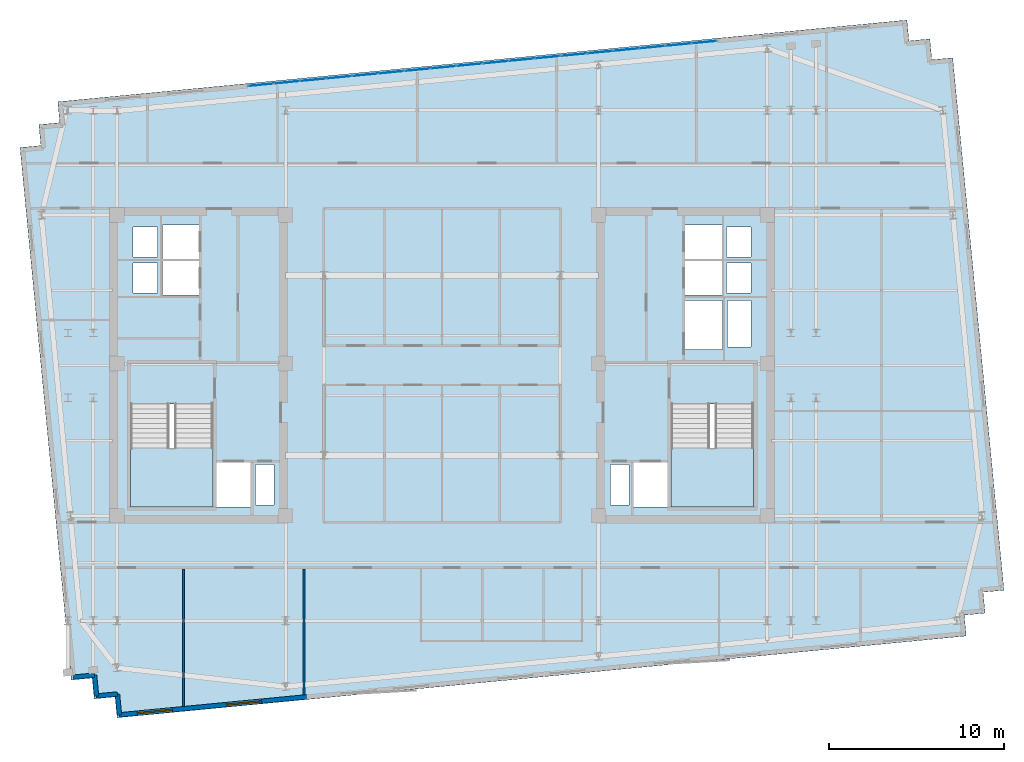
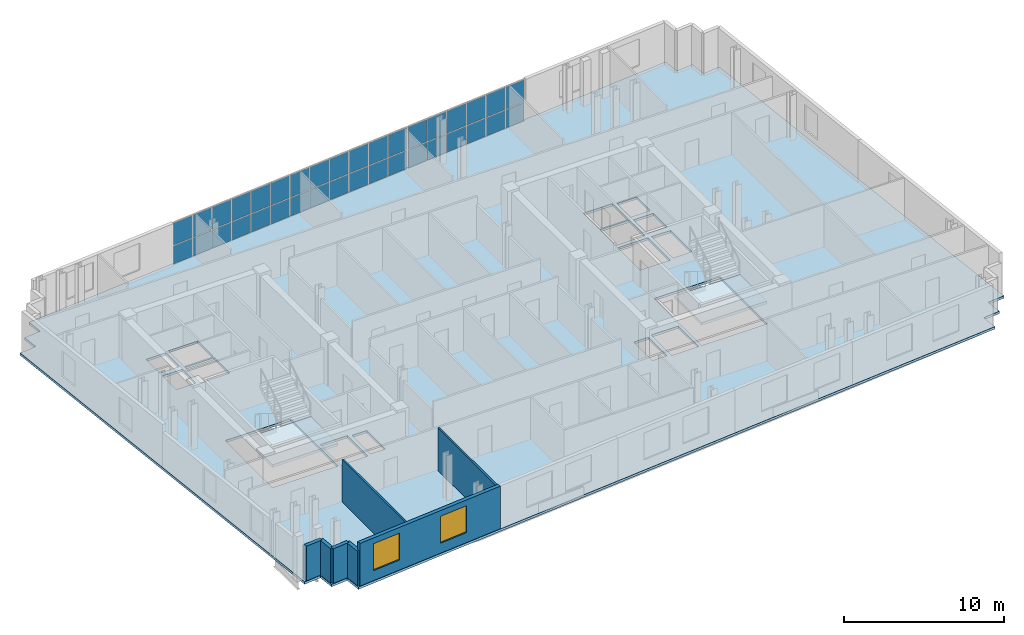
# One storey, part 5 of 11: 36 plates, 7 walls, 3 slabs, 2 windows, 2 openings, 5 elements without a shape of their own.
"""IFC4 building model written with IfcOpenShell, lengths in metres."""

import ifcopenshell
import ifcopenshell.guid

model = None  # the IFC model being written
_history = None  # IfcOwnerHistory: only IFC2X3 demands one
_inside = {}  # id of a spatial element -> (the spatial element, [elements in it])
_under = {}  # id of a project, library or spatial element -> (it, [spatial elements below it])
_declared = {}  # id of a project -> (the project, [libraries it declares])
_typed = {}  # id of a type object -> (the type object, [elements of that type])
_made_of = {}  # id of a material, layer set ... -> (it, [elements and type objects made of it])


def new_model(schema):
    """Start an empty IFC model of exactly this schema.

    Asked for "IFC4X3", IfcOpenShell would pick the latest addendum, in which some entities
    have other attributes; the version numbers below select the first issue.
    IFC2X3 requires an IfcOwnerHistory on every rooted entity: one is made here for all.
    """
    global model, _history
    if schema == "IFC4X3":
        model = ifcopenshell.file(schema_version=(4, 3, 0, 0))
    else:
        model = ifcopenshell.file(schema=schema)
    _inside.clear()
    _under.clear()
    _declared.clear()
    _typed.clear()
    _made_of.clear()
    _history = None
    if model.schema == "IFC2X3":
        org = make("IfcOrganization", Name="unknown")
        user = make(
            "IfcPersonAndOrganization",
            ThePerson=make("IfcPerson", FamilyName="unknown"),
            TheOrganization=org,
        )
        app = make(
            "IfcApplication",
            ApplicationDeveloper=org,
            Version="unknown",
            ApplicationFullName="unknown",
            ApplicationIdentifier="unknown",
        )
        _history = make(
            "IfcOwnerHistory",
            OwningUser=user,
            OwningApplication=app,
            ChangeAction="ADDED",
            CreationDate=0,
        )
    return model


def make(cls, **values):
    """One entity of the class cls with the attributes given. An attribute that is None is left unset."""
    return model.create_entity(
        cls, **{name: value for name, value in values.items() if value is not None}
    )


def rooted(cls, **values):
    """An entity with a GlobalId (a new one), such as an element, a storey or a relation."""
    return make(cls, GlobalId=ifcopenshell.guid.new(), OwnerHistory=_history, **values)


def si_unit(unit_type, name, prefix=None):
    """IfcSIUnit, for example si_unit("LENGTHUNIT", "METRE", prefix="MILLI")."""
    return make("IfcSIUnit", UnitType=unit_type, Prefix=prefix, Name=name)


def assignment(units):
    """IfcUnitAssignment: the units of a project."""
    return None if units is None else make("IfcUnitAssignment", Units=units)


def point(xyz):
    """IfcCartesianPoint."""
    return None if xyz is None else make("IfcCartesianPoint", Coordinates=xyz)


def direction(xyz):
    """IfcDirection."""
    return None if xyz is None else make("IfcDirection", DirectionRatios=xyz)


def frame(location, z_axis=None, x_axis=None):
    """IfcAxis2Placement3D, a coordinate frame: its origin and axes. An axis left out is left unset."""
    return make(
        "IfcAxis2Placement3D",
        Location=point(location),
        Axis=direction(z_axis),
        RefDirection=direction(x_axis),
    )


def frame_2d(location, x_axis=None):
    """IfcAxis2Placement2D, a coordinate frame in the plane: its origin and x axis."""
    return make(
        "IfcAxis2Placement2D", Location=point(location), RefDirection=direction(x_axis)
    )


def origin():
    """The frame at (0, 0, 0) with its axes left unset."""
    return frame((0.0, 0.0, 0.0))


def origin_2d():
    """The frame at (0, 0) in the plane with its x axis left unset."""
    return frame_2d((0.0, 0.0))


def place(relative_to, where):
    """IfcLocalPlacement: puts the frame where relative to a parent placement (None: the world)."""
    return make(
        "IfcLocalPlacement", PlacementRelTo=relative_to, RelativePlacement=where
    )


def context(
    kind, dimensions, precision=None, world=None, true_north=None, identifier=None
):
    """IfcGeometricRepresentationContext, for example the 3D "Model" context."""
    return make(
        "IfcGeometricRepresentationContext",
        ContextIdentifier=identifier,
        ContextType=kind,
        CoordinateSpaceDimension=dimensions,
        Precision=precision,
        WorldCoordinateSystem=world,
        TrueNorth=true_north,
    )


def subcontext(parent, identifier, kind, view, scale=None):
    """IfcGeometricRepresentationSubContext, for example "Body" below "Model"."""
    return make(
        "IfcGeometricRepresentationSubContext",
        ContextIdentifier=identifier,
        ContextType=kind,
        ParentContext=parent,
        TargetScale=scale,
        TargetView=view,
    )


def project(units=None, contexts=None):
    """IfcProject with its units and contexts."""
    return rooted(
        "IfcProject",
        Name="project",
        RepresentationContexts=contexts,
        UnitsInContext=assignment(units),
    )


def spatial(cls, under=None, at=None, **own):
    """A site, building, storey or space (cls), placed at a placement, below another one or the project."""
    s = rooted(cls, ObjectPlacement=at, **own)
    if under is not None:
        _under.setdefault(under.id(), (under, []))[1].append(s)
    return s


def polyline(points):
    """IfcPolyline through the points."""
    return make("IfcPolyline", Points=[point(p) for p in points])


def profile(cls, at=None, kind="AREA", **sizes):
    """A parametric profile (cls). Its sizes go by their IFC names, for example OverallWidth=200.0."""
    return make(cls, ProfileType=kind, Position=at, **sizes)


def rectangle(**sizes):
    """IfcRectangleProfileDef."""
    return profile("IfcRectangleProfileDef", **sizes)


def outline(outer, holes=None, kind="AREA"):
    """IfcArbitraryClosedProfileDef: a profile drawn as a closed curve; with holes, ...WithVoids."""
    if holes is None:
        return make("IfcArbitraryClosedProfileDef", ProfileType=kind, OuterCurve=outer)
    return make(
        "IfcArbitraryProfileDefWithVoids",
        ProfileType=kind,
        OuterCurve=outer,
        InnerCurves=holes,
    )


def extrude(swept, where, along, depth):
    """IfcExtrudedAreaSolid: the profile swept, set in the frame where, extruded along a direction by depth."""
    return make(
        "IfcExtrudedAreaSolid",
        SweptArea=swept,
        Position=where,
        ExtrudedDirection=direction(along),
        Depth=depth,
    )


def shape(context_of_items, identifier, shape_type, items):
    """IfcShapeRepresentation: the items that make up one representation, for example the "Body"."""
    return make(
        "IfcShapeRepresentation",
        ContextOfItems=context_of_items,
        RepresentationIdentifier=identifier,
        RepresentationType=shape_type,
        Items=items,
    )


def material(Name=None, Category=None):
    """IfcMaterial."""
    return make("IfcMaterial", Name=Name, Category=Category)


def layer(
    of_material, thickness, ventilated=None, Name=None, Category=None, Priority=None
):
    """IfcMaterialLayer: one layer of a wall or slab, of a material (None: an air gap)."""
    return make(
        "IfcMaterialLayer",
        Material=of_material,
        LayerThickness=thickness,
        IsVentilated=ventilated,
        Name=Name,
        Category=Category,
        Priority=Priority,
    )


def layer_set(layers, Name=None):
    """IfcMaterialLayerSet."""
    return make("IfcMaterialLayerSet", MaterialLayers=layers, LayerSetName=Name)


def made_of(thing, what):
    """Note that an element or type object is made of a material, layer set ...; save() writes the relation."""
    if what is not None:
        _made_of.setdefault(what.id(), (what, []))[1].append(thing)
    return thing


def type_object(cls, material=None, **own):
    """A type object (cls), such as IfcWallType, which elements share."""
    return made_of(rooted(cls, **own), material)


def element(
    cls,
    number,
    at=None,
    inside=None,
    cuts=None,
    type_object=None,
    material=None,
    context=None,
    identifier="Body",
    shape_type=None,
    held_by="IfcProductDefinitionShape",
    body=None,
    shapes=None,
    **own,
):
    """One element of the class cls, such as IfcWall. Its Tag is "e" and its number.

    at: its placement. inside: the storey or other place that contains it. cuts: it is an
    opening in that element (IfcRelVoidsElement). A single representation is given by context,
    identifier, shape_type and body (its items); several are given by shapes. held_by: the class
    of the entity that holds the representations. save() writes the other relations.
    """
    e = rooted(cls, Tag="e%d" % number, ObjectPlacement=at, **own)
    if body is not None:
        shapes = [shape(context, identifier, shape_type, body)]
    if shapes is not None:
        e.Representation = make(held_by, Representations=shapes)
    if inside is not None:
        _inside.setdefault(inside.id(), (inside, []))[1].append(e)
    if cuts is not None:
        rooted(
            "IfcRelVoidsElement", RelatingBuildingElement=cuts, RelatedOpeningElement=e
        )
    if type_object is not None:
        _typed.setdefault(type_object.id(), (type_object, []))[1].append(e)
    return made_of(e, material)


def fill(opening, filler):
    """IfcRelFillsElement: the door or window that sits in an opening."""
    return rooted(
        "IfcRelFillsElement",
        RelatingOpeningElement=opening,
        RelatedBuildingElement=filler,
    )


def aggregate(whole, parts):
    """IfcRelAggregates: a whole, such as a stair, and the parts it consists of."""
    return rooted("IfcRelAggregates", RelatingObject=whole, RelatedObjects=parts)


def save(model, path):
    """Write the relations noted so far, then the file.

    IfcRelAggregates (storeys below a building ...), IfcRelContainedInSpatialStructure (elements
    in a storey), IfcRelDefinesByType, IfcRelAssociatesMaterial and IfcRelDeclares: one each for
    every whole, place, type object, material and project.
    """
    for whole, parts in _under.values():
        aggregate(whole, parts)
    for where, things in _inside.values():
        rooted(
            "IfcRelContainedInSpatialStructure",
            RelatedElements=things,
            RelatingStructure=where,
        )
    for kind, things in _typed.values():
        rooted("IfcRelDefinesByType", RelatedObjects=things, RelatingType=kind)
    for what, things in _made_of.values():
        rooted("IfcRelAssociatesMaterial", RelatedObjects=things, RelatingMaterial=what)
    for by, libraries in _declared.values():
        rooted("IfcRelDeclares", RelatingContext=by, RelatedDefinitions=libraries)
    model.write(path)


model = new_model("IFC4")

# Units and contexts
model_context = context("Model", 3, precision=1e-05, world=origin(), true_north=direction((0.0, 1.0)))
body_context = subcontext(model_context, "Body", "Model", "MODEL_VIEW")
ifc_project = project(units=[si_unit("LENGTHUNIT", "METRE"), si_unit("AREAUNIT", "SQUARE_METRE"), si_unit("VOLUMEUNIT", "CUBIC_METRE"), si_unit("PLANEANGLEUNIT", "RADIAN"), si_unit("MASSUNIT", "GRAM", prefix="KILO")], contexts=[model_context])

# Site, building, storey
site_placement = place(None, origin())
site = spatial("IfcSite", under=ifc_project, at=site_placement, CompositionType="ELEMENT")
building_placement = place(site_placement, origin())
building = spatial("IfcBuilding", under=site, at=building_placement, Name="Velakula Bourse", CompositionType="ELEMENT")
storey_placement = place(building_placement, frame((0.0, 0.0, 279.300048828125)))
storey = spatial("IfcBuildingStorey", under=building, at=storey_placement, Name="L76", CompositionType="ELEMENT", Elevation=279.300048828125)

# Curtain wall, plates
ifc_material_1 = material(Name="Anodised bronze architectural aluminium", Category="aluminium")
ifc_layer_1 = layer(ifc_material_1, 0.1298828125, Name="Anodised bronze architectural aluminium", Category="aluminium")
ifc_layer_set_1 = layer_set([ifc_layer_1], Name="Anodised bronze architectural aluminium")
curtain_wall_type = type_object("IfcCurtainWallType", Name="CW-OB1", PredefinedType="NOTDEFINED", material=ifc_layer_set_1)
curtain_wall_1_placement = place(storey_placement, origin())
curtain_wall_1 = element("IfcCurtainWall", 1, at=curtain_wall_1_placement, inside=storey, type_object=curtain_wall_type, Name="L76 Public Observation Panoramic Curtain Wall B2", PredefinedType="NOTDEFINED")
ifc_material_2 = material(Name="Double-glazed solar-control Low-E glass", Category="glass")
ifc_layer_2 = layer(ifc_material_2, 0.02001953125, Name="Double-glazed solar-control Low-E glass", Category="glass")
ifc_layer_set_2 = layer_set([ifc_layer_2], Name="Double-glazed solar-control Low-E glass")
plate_type = type_object("IfcPlateType", Name="PNL-CW-OB1", PredefinedType="CURTAIN_PANEL", material=ifc_layer_set_2)
plate_1_placement = place(storey_placement, frame((-10.3583984375, 16.048583984375, 0.059814453125), z_axis=(0.0, 0.0, 1.0), x_axis=(0.995396256016, 0.095845153814, 0.0)))
plate_1 = element("IfcPlate", 2, at=plate_1_placement, type_object=plate_type, Name="CW-OB1 panel 1.1", PredefinedType="CURTAIN_PANEL", context=body_context, shape_type="SweptSolid", body=[
    extrude(rectangle(XDim=1.409912109375, YDim=0.028076171875, at=origin_2d()), origin(), (0.0, 0.0, 1.0), 1.37255859375),
])
plate_2_placement = place(storey_placement, frame((-10.3583984375, 16.048583984375, 1.49267578125), z_axis=(0.0, 0.0, 1.0), x_axis=(0.995396256016, 0.095845153814, 0.0)))
plate_2 = element("IfcPlate", 3, at=plate_2_placement, type_object=plate_type, Name="CW-OB1 panel 1.2", PredefinedType="CURTAIN_PANEL", context=body_context, shape_type="SweptSolid", body=[
    extrude(rectangle(XDim=1.409912109375, YDim=0.028076171875, at=origin_2d()), origin(), (0.0, 0.0, 1.0), 1.697509765625),
])
plate_3_placement = place(storey_placement, frame((-8.88037109375, 16.19091796875, 0.059814453125), z_axis=(0.0, 0.0, 1.0), x_axis=(0.995396256016, 0.095845153814, 0.0)))
plate_3 = element("IfcPlate", 4, at=plate_3_placement, type_object=plate_type, Name="CW-OB1 panel 2.1", PredefinedType="CURTAIN_PANEL", context=body_context, shape_type="SweptSolid", body=[
    extrude(rectangle(XDim=1.43994140625, YDim=0.028076171875, at=origin_2d()), origin(), (0.0, 0.0, 1.0), 1.37255859375),
])
plate_4_placement = place(storey_placement, frame((-8.88037109375, 16.19091796875, 1.49267578125), z_axis=(0.0, 0.0, 1.0), x_axis=(0.995396256016, 0.095845153814, 0.0)))
plate_4 = element("IfcPlate", 5, at=plate_4_placement, type_object=plate_type, Name="CW-OB1 panel 2.2", PredefinedType="CURTAIN_PANEL", context=body_context, shape_type="SweptSolid", body=[
    extrude(rectangle(XDim=1.43994140625, YDim=0.028076171875, at=origin_2d()), origin(), (0.0, 0.0, 1.0), 1.697509765625),
])
plate_5_placement = place(storey_placement, frame((-7.38720703125, 16.334716796875, 0.059814453125), z_axis=(0.0, 0.0, 1.0), x_axis=(0.995396256016, 0.095845153814, 0.0)))
plate_5 = element("IfcPlate", 6, at=plate_5_placement, type_object=plate_type, Name="CW-OB1 panel 3.1", PredefinedType="CURTAIN_PANEL", context=body_context, shape_type="SweptSolid", body=[
    extrude(rectangle(XDim=1.43994140625, YDim=0.028076171875, at=origin_2d()), origin(), (0.0, 0.0, 1.0), 1.37255859375),
])
plate_6_placement = place(storey_placement, frame((-7.38720703125, 16.334716796875, 1.49267578125), z_axis=(0.0, 0.0, 1.0), x_axis=(0.995396256016, 0.095845153814, 0.0)))
plate_6 = element("IfcPlate", 7, at=plate_6_placement, type_object=plate_type, Name="CW-OB1 panel 3.2", PredefinedType="CURTAIN_PANEL", context=body_context, shape_type="SweptSolid", body=[
    extrude(rectangle(XDim=1.43994140625, YDim=0.028076171875, at=origin_2d()), origin(), (0.0, 0.0, 1.0), 1.697509765625),
])
plate_7_placement = place(storey_placement, frame((-5.89404296875, 16.478515625, 0.059814453125), z_axis=(0.0, 0.0, 1.0), x_axis=(0.995396256016, 0.095845153814, 0.0)))
plate_7 = element("IfcPlate", 8, at=plate_7_placement, type_object=plate_type, Name="CW-OB1 panel 4.1", PredefinedType="CURTAIN_PANEL", context=body_context, shape_type="SweptSolid", body=[
    extrude(rectangle(XDim=1.43994140625, YDim=0.028076171875, at=origin_2d()), origin(), (0.0, 0.0, 1.0), 1.37255859375),
])
plate_8_placement = place(storey_placement, frame((-5.89404296875, 16.478515625, 1.49267578125), z_axis=(0.0, 0.0, 1.0), x_axis=(0.995396256016, 0.095845153814, 0.0)))
plate_8 = element("IfcPlate", 9, at=plate_8_placement, type_object=plate_type, Name="CW-OB1 panel 4.2", PredefinedType="CURTAIN_PANEL", context=body_context, shape_type="SweptSolid", body=[
    extrude(rectangle(XDim=1.43994140625, YDim=0.028076171875, at=origin_2d()), origin(), (0.0, 0.0, 1.0), 1.697509765625),
])
plate_9_placement = place(storey_placement, frame((-4.401123046875, 16.622314453125, 0.059814453125), z_axis=(0.0, 0.0, 1.0), x_axis=(0.995396256016, 0.095845153814, 0.0)))
plate_9 = element("IfcPlate", 10, at=plate_9_placement, type_object=plate_type, Name="CW-OB1 panel 5.1", PredefinedType="CURTAIN_PANEL", context=body_context, shape_type="SweptSolid", body=[
    extrude(rectangle(XDim=1.43994140625, YDim=0.028076171875, at=origin_2d()), origin(), (0.0, 0.0, 1.0), 1.37255859375),
])
plate_10_placement = place(storey_placement, frame((-4.401123046875, 16.622314453125, 1.49267578125), z_axis=(0.0, 0.0, 1.0), x_axis=(0.995396256016, 0.095845153814, 0.0)))
plate_10 = element("IfcPlate", 11, at=plate_10_placement, type_object=plate_type, Name="CW-OB1 panel 5.2", PredefinedType="CURTAIN_PANEL", context=body_context, shape_type="SweptSolid", body=[
    extrude(rectangle(XDim=1.43994140625, YDim=0.028076171875, at=origin_2d()), origin(), (0.0, 0.0, 1.0), 1.697509765625),
])
plate_11_placement = place(storey_placement, frame((-2.9228515625, 16.7646484375, 0.059814453125), z_axis=(0.0, 0.0, 1.0), x_axis=(0.995396256016, 0.095845153814, 0.0)))
plate_11 = element("IfcPlate", 12, at=plate_11_placement, type_object=plate_type, Name="CW-OB1 panel 6.1", PredefinedType="CURTAIN_PANEL", context=body_context, shape_type="SweptSolid", body=[
    extrude(rectangle(XDim=1.409912109375, YDim=0.028076171875, at=origin_2d()), origin(), (0.0, 0.0, 1.0), 1.37255859375),
])
plate_12_placement = place(storey_placement, frame((-2.9228515625, 16.7646484375, 1.49267578125), z_axis=(0.0, 0.0, 1.0), x_axis=(0.995396256016, 0.095845153814, 0.0)))
plate_12 = element("IfcPlate", 13, at=plate_12_placement, type_object=plate_type, Name="CW-OB1 panel 6.2", PredefinedType="CURTAIN_PANEL", context=body_context, shape_type="SweptSolid", body=[
    extrude(rectangle(XDim=1.409912109375, YDim=0.028076171875, at=origin_2d()), origin(), (0.0, 0.0, 1.0), 1.697509765625),
])
aggregate(curtain_wall_1, [plate_1, plate_2, plate_3, plate_4, plate_5, plate_6, plate_7, plate_8, plate_9, plate_10, plate_11, plate_12])

curtain_wall_2_placement = place(storey_placement, origin())
curtain_wall_2 = element("IfcCurtainWall", 14, at=curtain_wall_2_placement, inside=storey, type_object=curtain_wall_type, Name="L76 Public Observation Panoramic Curtain Wall B3", PredefinedType="NOTDEFINED")
plate_13_placement = place(storey_placement, frame((-1.39990234375, 16.9111328125, 0.059814453125), z_axis=(0.0, 0.0, 1.0), x_axis=(0.995396358085, 0.095844093769, 0.0)))
plate_13 = element("IfcPlate", 15, at=plate_13_placement, type_object=plate_type, Name="CW-OB1 panel 1.1", PredefinedType="CURTAIN_PANEL", context=body_context, shape_type="SweptSolid", body=[
    extrude(rectangle(XDim=1.409912109375, YDim=0.028076171875, at=origin_2d()), origin(), (0.0, 0.0, 1.0), 1.37255859375),
])
plate_14_placement = place(storey_placement, frame((-1.39990234375, 16.9111328125, 1.49267578125), z_axis=(0.0, 0.0, 1.0), x_axis=(0.995396358085, 0.095844093769, 0.0)))
plate_14 = element("IfcPlate", 16, at=plate_14_placement, type_object=plate_type, Name="CW-OB1 panel 1.2", PredefinedType="CURTAIN_PANEL", context=body_context, shape_type="SweptSolid", body=[
    extrude(rectangle(XDim=1.409912109375, YDim=0.028076171875, at=origin_2d()), origin(), (0.0, 0.0, 1.0), 1.697509765625),
])
plate_15_placement = place(storey_placement, frame((0.078369140625, 17.053466796875, 0.059814453125), z_axis=(0.0, 0.0, 1.0), x_axis=(0.995396358085, 0.095844093769, 0.0)))
plate_15 = element("IfcPlate", 17, at=plate_15_placement, type_object=plate_type, Name="CW-OB1 panel 2.1", PredefinedType="CURTAIN_PANEL", context=body_context, shape_type="SweptSolid", body=[
    extrude(rectangle(XDim=1.43994140625, YDim=0.028076171875, at=origin_2d()), origin(), (0.0, 0.0, 1.0), 1.37255859375),
])
plate_16_placement = place(storey_placement, frame((0.078369140625, 17.053466796875, 1.49267578125), z_axis=(0.0, 0.0, 1.0), x_axis=(0.995396358085, 0.095844093769, 0.0)))
plate_16 = element("IfcPlate", 18, at=plate_16_placement, type_object=plate_type, Name="CW-OB1 panel 2.2", PredefinedType="CURTAIN_PANEL", context=body_context, shape_type="SweptSolid", body=[
    extrude(rectangle(XDim=1.43994140625, YDim=0.028076171875, at=origin_2d()), origin(), (0.0, 0.0, 1.0), 1.697509765625),
])
plate_17_placement = place(storey_placement, frame((1.5712890625, 17.197265625, 0.059814453125), z_axis=(0.0, 0.0, 1.0), x_axis=(0.995396358085, 0.095844093769, 0.0)))
plate_17 = element("IfcPlate", 19, at=plate_17_placement, type_object=plate_type, Name="CW-OB1 panel 3.1", PredefinedType="CURTAIN_PANEL", context=body_context, shape_type="SweptSolid", body=[
    extrude(rectangle(XDim=1.43994140625, YDim=0.028076171875, at=origin_2d()), origin(), (0.0, 0.0, 1.0), 1.37255859375),
])
plate_18_placement = place(storey_placement, frame((1.5712890625, 17.197265625, 1.49267578125), z_axis=(0.0, 0.0, 1.0), x_axis=(0.995396358085, 0.095844093769, 0.0)))
plate_18 = element("IfcPlate", 20, at=plate_18_placement, type_object=plate_type, Name="CW-OB1 panel 3.2", PredefinedType="CURTAIN_PANEL", context=body_context, shape_type="SweptSolid", body=[
    extrude(rectangle(XDim=1.43994140625, YDim=0.028076171875, at=origin_2d()), origin(), (0.0, 0.0, 1.0), 1.697509765625),
])
plate_19_placement = place(storey_placement, frame((3.064453125, 17.341064453125, 0.059814453125), z_axis=(0.0, 0.0, 1.0), x_axis=(0.995396358085, 0.095844093769, 0.0)))
plate_19 = element("IfcPlate", 21, at=plate_19_placement, type_object=plate_type, Name="CW-OB1 panel 4.1", PredefinedType="CURTAIN_PANEL", context=body_context, shape_type="SweptSolid", body=[
    extrude(rectangle(XDim=1.43994140625, YDim=0.028076171875, at=origin_2d()), origin(), (0.0, 0.0, 1.0), 1.37255859375),
])
plate_20_placement = place(storey_placement, frame((3.064453125, 17.341064453125, 1.49267578125), z_axis=(0.0, 0.0, 1.0), x_axis=(0.995396358085, 0.095844093769, 0.0)))
plate_20 = element("IfcPlate", 22, at=plate_20_placement, type_object=plate_type, Name="CW-OB1 panel 4.2", PredefinedType="CURTAIN_PANEL", context=body_context, shape_type="SweptSolid", body=[
    extrude(rectangle(XDim=1.43994140625, YDim=0.028076171875, at=origin_2d()), origin(), (0.0, 0.0, 1.0), 1.697509765625),
])
plate_21_placement = place(storey_placement, frame((4.5576171875, 17.48486328125, 0.059814453125), z_axis=(0.0, 0.0, 1.0), x_axis=(0.995396358085, 0.095844093769, 0.0)))
plate_21 = element("IfcPlate", 23, at=plate_21_placement, type_object=plate_type, Name="CW-OB1 panel 5.1", PredefinedType="CURTAIN_PANEL", context=body_context, shape_type="SweptSolid", body=[
    extrude(rectangle(XDim=1.43994140625, YDim=0.028076171875, at=origin_2d()), origin(), (0.0, 0.0, 1.0), 1.37255859375),
])
plate_22_placement = place(storey_placement, frame((4.5576171875, 17.48486328125, 1.49267578125), z_axis=(0.0, 0.0, 1.0), x_axis=(0.995396358085, 0.095844093769, 0.0)))
plate_22 = element("IfcPlate", 24, at=plate_22_placement, type_object=plate_type, Name="CW-OB1 panel 5.2", PredefinedType="CURTAIN_PANEL", context=body_context, shape_type="SweptSolid", body=[
    extrude(rectangle(XDim=1.43994140625, YDim=0.028076171875, at=origin_2d()), origin(), (0.0, 0.0, 1.0), 1.697509765625),
])
plate_23_placement = place(storey_placement, frame((6.03564453125, 17.627197265625, 0.059814453125), z_axis=(0.0, 0.0, 1.0), x_axis=(0.995396358085, 0.095844093769, 0.0)))
plate_23 = element("IfcPlate", 25, at=plate_23_placement, type_object=plate_type, Name="CW-OB1 panel 6.1", PredefinedType="CURTAIN_PANEL", context=body_context, shape_type="SweptSolid", body=[
    extrude(rectangle(XDim=1.409912109375, YDim=0.028076171875, at=origin_2d()), origin(), (0.0, 0.0, 1.0), 1.37255859375),
])
plate_24_placement = place(storey_placement, frame((6.03564453125, 17.627197265625, 1.49267578125), z_axis=(0.0, 0.0, 1.0), x_axis=(0.995396358085, 0.095844093769, 0.0)))
plate_24 = element("IfcPlate", 26, at=plate_24_placement, type_object=plate_type, Name="CW-OB1 panel 6.2", PredefinedType="CURTAIN_PANEL", context=body_context, shape_type="SweptSolid", body=[
    extrude(rectangle(XDim=1.409912109375, YDim=0.028076171875, at=origin_2d()), origin(), (0.0, 0.0, 1.0), 1.697509765625),
])
aggregate(curtain_wall_2, [plate_13, plate_14, plate_15, plate_16, plate_17, plate_18, plate_19, plate_20, plate_21, plate_22, plate_23, plate_24])

curtain_wall_3_placement = place(storey_placement, origin())
curtain_wall_3 = element("IfcCurtainWall", 27, at=curtain_wall_3_placement, inside=storey, type_object=curtain_wall_type, Name="L76 Public Observation Panoramic Curtain Wall B4", PredefinedType="NOTDEFINED")
plate_25_placement = place(storey_placement, frame((7.55859375, 17.77392578125, 0.059814453125), z_axis=(0.0, 0.0, 1.0), x_axis=(0.995396358085, 0.095844093769, 0.0)))
plate_25 = element("IfcPlate", 28, at=plate_25_placement, type_object=plate_type, Name="CW-OB1 panel 1.1", PredefinedType="CURTAIN_PANEL", context=body_context, shape_type="SweptSolid", body=[
    extrude(rectangle(XDim=1.409912109375, YDim=0.028076171875, at=origin_2d()), origin(), (0.0, 0.0, 1.0), 1.37255859375),
])
plate_26_placement = place(storey_placement, frame((7.55859375, 17.77392578125, 1.49267578125), z_axis=(0.0, 0.0, 1.0), x_axis=(0.995396358085, 0.095844093769, 0.0)))
plate_26 = element("IfcPlate", 29, at=plate_26_placement, type_object=plate_type, Name="CW-OB1 panel 1.2", PredefinedType="CURTAIN_PANEL", context=body_context, shape_type="SweptSolid", body=[
    extrude(rectangle(XDim=1.409912109375, YDim=0.028076171875, at=origin_2d()), origin(), (0.0, 0.0, 1.0), 1.697509765625),
])
plate_27_placement = place(storey_placement, frame((9.036865234375, 17.916259765625, 0.059814453125), z_axis=(0.0, 0.0, 1.0), x_axis=(0.995396358085, 0.095844093769, 0.0)))
plate_27 = element("IfcPlate", 30, at=plate_27_placement, type_object=plate_type, Name="CW-OB1 panel 2.1", PredefinedType="CURTAIN_PANEL", context=body_context, shape_type="SweptSolid", body=[
    extrude(rectangle(XDim=1.43994140625, YDim=0.028076171875, at=origin_2d()), origin(), (0.0, 0.0, 1.0), 1.37255859375),
])
plate_28_placement = place(storey_placement, frame((9.036865234375, 17.916259765625, 1.49267578125), z_axis=(0.0, 0.0, 1.0), x_axis=(0.995396358085, 0.095844093769, 0.0)))
plate_28 = element("IfcPlate", 31, at=plate_28_placement, type_object=plate_type, Name="CW-OB1 panel 2.2", PredefinedType="CURTAIN_PANEL", context=body_context, shape_type="SweptSolid", body=[
    extrude(rectangle(XDim=1.43994140625, YDim=0.028076171875, at=origin_2d()), origin(), (0.0, 0.0, 1.0), 1.697509765625),
])
plate_29_placement = place(storey_placement, frame((10.530029296875, 18.059814453125, 0.059814453125), z_axis=(0.0, 0.0, 1.0), x_axis=(0.995396358085, 0.095844093769, 0.0)))
plate_29 = element("IfcPlate", 32, at=plate_29_placement, type_object=plate_type, Name="CW-OB1 panel 3.1", PredefinedType="CURTAIN_PANEL", context=body_context, shape_type="SweptSolid", body=[
    extrude(rectangle(XDim=1.43994140625, YDim=0.028076171875, at=origin_2d()), origin(), (0.0, 0.0, 1.0), 1.37255859375),
])
plate_30_placement = place(storey_placement, frame((10.530029296875, 18.059814453125, 1.49267578125), z_axis=(0.0, 0.0, 1.0), x_axis=(0.995396358085, 0.095844093769, 0.0)))
plate_30 = element("IfcPlate", 33, at=plate_30_placement, type_object=plate_type, Name="CW-OB1 panel 3.2", PredefinedType="CURTAIN_PANEL", context=body_context, shape_type="SweptSolid", body=[
    extrude(rectangle(XDim=1.43994140625, YDim=0.028076171875, at=origin_2d()), origin(), (0.0, 0.0, 1.0), 1.697509765625),
])
plate_31_placement = place(storey_placement, frame((12.02294921875, 18.20361328125, 0.059814453125), z_axis=(0.0, 0.0, 1.0), x_axis=(0.995396358085, 0.095844093769, 0.0)))
plate_31 = element("IfcPlate", 34, at=plate_31_placement, type_object=plate_type, Name="CW-OB1 panel 4.1", PredefinedType="CURTAIN_PANEL", context=body_context, shape_type="SweptSolid", body=[
    extrude(rectangle(XDim=1.43994140625, YDim=0.028076171875, at=origin_2d()), origin(), (0.0, 0.0, 1.0), 1.37255859375),
])
plate_32_placement = place(storey_placement, frame((12.02294921875, 18.20361328125, 1.49267578125), z_axis=(0.0, 0.0, 1.0), x_axis=(0.995396358085, 0.095844093769, 0.0)))
plate_32 = element("IfcPlate", 35, at=plate_32_placement, type_object=plate_type, Name="CW-OB1 panel 4.2", PredefinedType="CURTAIN_PANEL", context=body_context, shape_type="SweptSolid", body=[
    extrude(rectangle(XDim=1.43994140625, YDim=0.028076171875, at=origin_2d()), origin(), (0.0, 0.0, 1.0), 1.697509765625),
])
plate_33_placement = place(storey_placement, frame((13.51611328125, 18.347412109375, 0.059814453125), z_axis=(0.0, 0.0, 1.0), x_axis=(0.995396358085, 0.095844093769, 0.0)))
plate_33 = element("IfcPlate", 36, at=plate_33_placement, type_object=plate_type, Name="CW-OB1 panel 5.1", PredefinedType="CURTAIN_PANEL", context=body_context, shape_type="SweptSolid", body=[
    extrude(rectangle(XDim=1.43994140625, YDim=0.028076171875, at=origin_2d()), origin(), (0.0, 0.0, 1.0), 1.37255859375),
])
plate_34_placement = place(storey_placement, frame((13.51611328125, 18.347412109375, 1.49267578125), z_axis=(0.0, 0.0, 1.0), x_axis=(0.995396358085, 0.095844093769, 0.0)))
plate_34 = element("IfcPlate", 37, at=plate_34_placement, type_object=plate_type, Name="CW-OB1 panel 5.2", PredefinedType="CURTAIN_PANEL", context=body_context, shape_type="SweptSolid", body=[
    extrude(rectangle(XDim=1.43994140625, YDim=0.028076171875, at=origin_2d()), origin(), (0.0, 0.0, 1.0), 1.697509765625),
])
plate_35_placement = place(storey_placement, frame((14.994384765625, 18.48974609375, 0.059814453125), z_axis=(0.0, 0.0, 1.0), x_axis=(0.995396358085, 0.095844093769, 0.0)))
plate_35 = element("IfcPlate", 38, at=plate_35_placement, type_object=plate_type, Name="CW-OB1 panel 6.1", PredefinedType="CURTAIN_PANEL", context=body_context, shape_type="SweptSolid", body=[
    extrude(rectangle(XDim=1.409912109375, YDim=0.028076171875, at=origin_2d()), origin(), (0.0, 0.0, 1.0), 1.37255859375),
])
plate_36_placement = place(storey_placement, frame((14.994384765625, 18.48974609375, 1.49267578125), z_axis=(0.0, 0.0, 1.0), x_axis=(0.995396358085, 0.095844093769, 0.0)))
plate_36 = element("IfcPlate", 39, at=plate_36_placement, type_object=plate_type, Name="CW-OB1 panel 6.2", PredefinedType="CURTAIN_PANEL", context=body_context, shape_type="SweptSolid", body=[
    extrude(rectangle(XDim=1.409912109375, YDim=0.028076171875, at=origin_2d()), origin(), (0.0, 0.0, 1.0), 1.697509765625),
])
aggregate(curtain_wall_3, [plate_25, plate_26, plate_27, plate_28, plate_29, plate_30, plate_31, plate_32, plate_33, plate_34, plate_35, plate_36])

# Stair, slab
ifc_material_3 = material(Name="Concrete M45 (fck 45 MPa)", Category="concrete")
stair_type = type_object("IfcStairType", Name="STR-DOG-390", PredefinedType="HALF_TURN_STAIR", material=ifc_material_3)
stair_1_placement = place(storey_placement, origin())
stair_1 = element("IfcStair", 40, at=stair_1_placement, inside=storey, type_object=stair_type, Name="L76 West Core Exit Stair ST-W1", PredefinedType="HALF_TURN_STAIR")
ifc_layer_3 = layer(ifc_material_3, 0.199951171875, Name="Concrete M45 (fck 45 MPa)", Category="concrete")
ifc_layer_set_3 = layer_set([ifc_layer_3], Name="Concrete M45 (fck 45 MPa)")
slab_type_1 = type_object("IfcSlabType", Name="SLB-STAIR-LND-200", PredefinedType="LANDING", material=ifc_layer_set_3)
slab_1_placement = place(storey_placement, frame((0.0, 0.0, 1.52490234375)))
slab_1 = element("IfcSlab", 41, at=slab_1_placement, type_object=slab_type_1, Name="ST-W1 landing 1", PredefinedType="LANDING", context=body_context, shape_type="SweptSolid", body=[
    extrude(outline(polyline([(-17.820068359375, -4.719970703125), (-17.820068359375, -8.10009765625), (-13.10009765625, -8.10009765625), (-13.10009765625, -4.719970703125), (-17.820068359375, -4.719970703125)])), origin(), (0.0, 0.0, 1.0), 0.199951171875),
])
aggregate(stair_1, [slab_1])

stair_2_placement = place(storey_placement, origin())
stair_2 = element("IfcStair", 42, at=stair_2_placement, inside=storey, type_object=stair_type, Name="L76 East Core Exit Stair ST-E1", PredefinedType="HALF_TURN_STAIR")
slab_2_placement = place(storey_placement, frame((0.0, 0.0, 1.52490234375)))
slab_2 = element("IfcSlab", 43, at=slab_2_placement, type_object=slab_type_1, Name="ST-E1 landing 1", PredefinedType="LANDING", context=body_context, shape_type="SweptSolid", body=[
    extrude(outline(polyline([(13.10009765625, -4.719970703125), (13.10009765625, -8.10009765625), (17.820068359375, -8.10009765625), (17.820068359375, -4.719970703125), (13.10009765625, -4.719970703125)])), origin(), (0.0, 0.0, 1.0), 0.199951171875),
])
aggregate(stair_2, [slab_2])

# Slab
ifc_material_4 = material(Name="Concrete M50 (fck 50 MPa)", Category="concrete")
ifc_layer_4 = layer(ifc_material_4, 0.179931640625, Name="Concrete M50 (fck 50 MPa)", Category="concrete")
ifc_layer_set_4 = layer_set([ifc_layer_4], Name="Concrete M50 (fck 50 MPa)")
slab_type_2 = type_object("IfcSlabType", Name="SLB-TWR-180", PredefinedType="FLOOR", material=ifc_layer_set_4)
slab_3_placement = place(storey_placement, frame((0.0, 0.0, -0.179931640625)))
element("IfcSlab", 44, at=slab_3_placement, inside=storey, type_object=slab_type_2, Name="L76 Suspended Structural Floor Slab", PredefinedType="FLOOR", context=body_context, shape_type="SweptSolid", body=[
    extrude(outline(polyline([(-18.59130859375, -20.1572265625), (29.984130859375, -15.47998046875), (29.869140625, -14.285400390625), (31.0634765625, -14.17041015625), (30.948486328125, -12.975830078125), (32.14306640625, -12.86083984375), (29.210205078125, 17.59814453125), (28.015625, 17.483154296875), (27.900634765625, 18.677734375), (26.706298828125, 18.562744140625), (26.59130859375, 19.757080078125), (-21.984130859375, 15.079833984375), (-21.869140625, 13.885498046875), (-23.0634765625, 13.7705078125), (-22.948486328125, 12.575927734375), (-24.14306640625, 12.4609375), (-21.210205078125, -17.998291015625), (-20.015625, -17.88330078125), (-19.900634765625, -19.07763671875), (-18.706298828125, -18.962646484375), (-18.59130859375, -20.1572265625)]), holes=[polyline([(-17.820068359375, -8.10009765625), (-13.10009765625, -8.10009765625), (-13.10009765625, -2.199951171875), (-17.820068359375, -2.199951171875), (-17.820068359375, -8.10009765625)]), polyline([(13.10009765625, -8.10009765625), (17.820068359375, -8.10009765625), (17.820068359375, -2.199951171875), (13.10009765625, -2.199951171875), (13.10009765625, -8.10009765625)]), polyline([(-12.89990234375, -8.10009765625), (-10.949951171875, -8.10009765625), (-10.949951171875, -5.550048828125), (-12.89990234375, -5.550048828125), (-12.89990234375, -8.10009765625)]), polyline([(10.949951171875, -8.10009765625), (12.89990234375, -8.10009765625), (12.89990234375, -5.550048828125), (10.949951171875, -5.550048828125), (10.949951171875, -8.10009765625)]), polyline([(13.89990234375, 0.919921875), (16.050048828125, 0.919921875), (16.050048828125, 3.719970703125), (13.89990234375, 3.719970703125), (13.89990234375, 0.919921875)]), polyline([(-10.679931640625, -7.97998046875), (-9.6201171875, -7.97998046875), (-9.6201171875, -5.669921875), (-10.679931640625, -5.669921875), (-10.679931640625, -7.97998046875)]), polyline([(-17.679931640625, 4.139892578125), (-16.27001953125, 4.139892578125), (-16.27001953125, 5.85009765625), (-17.679931640625, 5.85009765625), (-17.679931640625, 4.139892578125)]), polyline([(-17.679931640625, 6.2099609375), (-16.27001953125, 6.2099609375), (-16.27001953125, 7.919921875), (-17.679931640625, 7.919921875), (-17.679931640625, 6.2099609375)]), polyline([(9.6201171875, -7.97998046875), (10.679931640625, -7.97998046875), (10.679931640625, -5.669921875), (9.6201171875, -5.669921875), (9.6201171875, -7.97998046875)]), polyline([(16.27001953125, 4.139892578125), (17.679931640625, 4.139892578125), (17.679931640625, 5.85009765625), (16.27001953125, 5.85009765625), (16.27001953125, 4.139892578125)]), polyline([(16.27001953125, 6.2099609375), (17.679931640625, 6.2099609375), (17.679931640625, 7.919921875), (16.27001953125, 7.919921875), (16.27001953125, 6.2099609375)]), polyline([(16.320068359375, 1.0400390625), (17.679931640625, 1.0400390625), (17.679931640625, 3.699951171875), (16.320068359375, 3.699951171875), (16.320068359375, 1.0400390625)]), polyline([(-16.0, 4.02001953125), (-13.89990234375, 4.02001953125), (-13.89990234375, 5.969970703125), (-16.0, 5.969970703125), (-16.0, 4.02001953125)]), polyline([(-16.0, 6.090087890625), (-13.89990234375, 6.090087890625), (-13.89990234375, 8.0400390625), (-16.0, 8.0400390625), (-16.0, 6.090087890625)]), polyline([(13.89990234375, 4.02001953125), (16.0, 4.02001953125), (16.0, 5.969970703125), (13.89990234375, 5.969970703125), (13.89990234375, 4.02001953125)]), polyline([(13.89990234375, 6.090087890625), (16.0, 6.090087890625), (16.0, 8.0400390625), (13.89990234375, 8.0400390625), (13.89990234375, 6.090087890625)])]), origin(), (0.0, 0.0, 1.0), 0.179931640625),
])

# Wall, openings, windows
ifc_material_5 = material(Name="Buff kilned clay facing brick masonry", Category="masonry")
ifc_layer_5 = layer(ifc_material_5, 0.260009765625, Name="Buff kilned clay facing brick masonry", Category="masonry")
ifc_layer_set_5 = layer_set([ifc_layer_5], Name="Buff kilned clay facing brick masonry")
wall_type_1 = type_object("IfcWallType", Name="WL-EXT-BRK-260", PredefinedType="STANDARD", material=ifc_layer_set_5)
wall_1_placement = place(storey_placement, frame((-7.755859375, -18.963134765625, 0.0), z_axis=(0.0, 0.0, 1.0), x_axis=(-0.995396745868, -0.095840066339, 0.0)))
wall_1 = element("IfcWall", 45, at=wall_1_placement, inside=storey, type_object=wall_type_1, Name="L76 S Brick Spandrel Wall B1", PredefinedType="STANDARD", context=body_context, shape_type="SweptSolid", body=[
    extrude(rectangle(XDim=10.75, YDim=0.260009765625, at=frame_2d((5.375, 0.0))), origin(), (0.0, 0.0, 1.0), 3.25),
])
opening_1_placement = place(wall_1_placement, frame((2.583251953125, 0.0, 0.760009765625)))
opening_1 = element("IfcOpeningElement", 46, at=opening_1_placement, cuts=wall_1, Name="Opening W-05", PredefinedType="OPENING", context=body_context, shape_type="SweptSolid", body=[
    extrude(rectangle(XDim=2.0, YDim=2.050048828125, at=frame_2d((1.0, 1.02490234375))), frame((0.0, 0.139892578125, 0.0), z_axis=(0.0, -1.0, 0.0), x_axis=(1.0, 0.0, 0.0)), (0.0, 0.0, 1.0), 0.280029296875),
])
opening_2_placement = place(wall_1_placement, frame((7.716796875, 0.0, 0.760009765625)))
opening_2 = element("IfcOpeningElement", 47, at=opening_2_placement, cuts=wall_1, Name="Opening W-05", PredefinedType="OPENING", context=body_context, shape_type="SweptSolid", body=[
    extrude(rectangle(XDim=2.0, YDim=2.050048828125, at=frame_2d((1.0, 1.02490234375))), frame((0.0, 0.139892578125, 0.0), z_axis=(0.0, -1.0, 0.0), x_axis=(1.0, 0.0, 0.0)), (0.0, 0.0, 1.0), 0.280029296875),
])
window_type = type_object("IfcWindowType", Name="WIN-TWR-2000x2200", PartitioningType="DOUBLE_PANEL_VERTICAL", PredefinedType="WINDOW", material=ifc_material_2)
window_1_placement = place(opening_1_placement, origin())
window_1 = element("IfcWindow", 48, at=window_1_placement, inside=storey, type_object=window_type, Name="L76 Deep-Set Recessed Window 1", OverallHeight=2.050048828125, OverallWidth=2.0, PartitioningType="DOUBLE_PANEL_VERTICAL", PredefinedType="WINDOW", context=body_context, shape_type="SweptSolid", body=[
    extrude(rectangle(XDim=2.0, YDim=2.050048828125, at=frame_2d((1.0, 1.02490234375))), frame((0.0, 0.030029296875, 0.0), z_axis=(0.0, -1.0, 0.0), x_axis=(1.0, 0.0, 0.0)), (0.0, 0.0, 1.0), 0.06005859375),
])
fill(opening_1, window_1)
window_2_placement = place(opening_2_placement, origin())
window_2 = element("IfcWindow", 49, at=window_2_placement, inside=storey, type_object=window_type, Name="L76 Deep-Set Recessed Window 2", OverallHeight=2.050048828125, OverallWidth=2.0, PartitioningType="DOUBLE_PANEL_VERTICAL", PredefinedType="WINDOW", context=body_context, shape_type="SweptSolid", body=[
    extrude(rectangle(XDim=2.0, YDim=2.050048828125, at=frame_2d((1.0, 1.02490234375))), frame((0.0, 0.030029296875, 0.0), z_axis=(0.0, -1.0, 0.0), x_axis=(1.0, 0.0, 0.0)), (0.0, 0.0, 1.0), 0.06005859375),
])
fill(opening_2, window_2)

# Walls
wall_2_placement = place(storey_placement, frame((-21.0751953125, -17.83447265625, 0.0), z_axis=(0.0, 0.0, 1.0), x_axis=(0.995397091755, 0.095836473879, 0.0)))
element("IfcWall", 50, at=wall_2_placement, inside=storey, type_object=wall_type_1, Name="L76 Serrated Corner Brick Wall SW-1", PredefinedType="STANDARD", context=body_context, shape_type="SweptSolid", body=[
    extrude(rectangle(XDim=1.199951171875, YDim=0.260009765625, at=frame_2d((0.60009765625, 0.0))), origin(), (0.0, 0.0, 1.0), 2.64501953125),
])
for number, where, z_axis, x_axis, name in (
    (51, (-19.880859375, -17.719482421875, 0.0), (0.0, 0.0, 1.0), (0.095817067274, -0.995398960025, 0.0), "L76 Serrated Corner Brick Wall SW-2"),
    (52, (-19.765869140625, -18.9140625, 0.0), (0.0, 0.0, 1.0), (0.995398960025, 0.095817067274, 0.0), "L76 Serrated Corner Brick Wall SW-3"),
):
    element("IfcWall", number, at=place(storey_placement, frame(where, z_axis=z_axis, x_axis=x_axis)), inside=storey, type_object=wall_type_1, Name=name, PredefinedType="STANDARD", context=body_context, shape_type="SweptSolid", body=[
        extrude(rectangle(XDim=1.2001953125, YDim=0.260009765625, at=frame_2d((0.60009765625, 0.0))), origin(), (0.0, 0.0, 1.0), 2.64501953125),
    ])
wall_3_placement = place(storey_placement, frame((-18.5712890625, -18.799072265625, 0.0), z_axis=(0.0, 0.0, 1.0), x_axis=(0.095836473879, -0.995397091755, 0.0)))
element("IfcWall", 53, at=wall_3_placement, inside=storey, type_object=wall_type_1, Name="L76 Serrated Corner Brick Wall SW-4", PredefinedType="STANDARD", context=body_context, shape_type="SweptSolid", body=[
    extrude(rectangle(XDim=1.199951171875, YDim=0.260009765625, at=frame_2d((0.60009765625, 0.0))), origin(), (0.0, 0.0, 1.0), 2.64501953125),
])
ifc_material_6 = material(Name="Fire-rated double-layer gypsum drywall partition", Category="gypsum")
ifc_layer_6 = layer(ifc_material_6, 0.1201171875, Name="Fire-rated double-layer gypsum drywall partition", Category="gypsum")
ifc_layer_set_6 = layer_set([ifc_layer_6], Name="Fire-rated double-layer gypsum drywall partition")
wall_type_2 = type_object("IfcWallType", Name="WL-PART-120", PredefinedType="STANDARD", material=ifc_layer_set_6)
wall_4_placement = place(storey_placement, frame((-14.7880859375, -19.509521484375, 0.0), z_axis=(0.0, 0.0, 1.0), x_axis=(0.0, 1.0, 0.0)))
element("IfcWall", 54, at=wall_4_placement, inside=storey, type_object=wall_type_2, Name="L76 Interior Partition WL-INT-L76-SL-D5", PredefinedType="STANDARD", context=body_context, shape_type="SweptSolid", body=[
    extrude(rectangle(XDim=7.86962890625, YDim=0.1201171875, at=frame_2d((3.934814453125, 0.0))), origin(), (0.0, 0.0, 1.0), 3.25),
])
wall_5_placement = place(storey_placement, frame((-7.89306640625, -18.845703125, 0.0), z_axis=(0.0, 0.0, 1.0), x_axis=(0.0, 1.0, 0.0)))
element("IfcWall", 55, at=wall_5_placement, inside=storey, type_object=wall_type_2, Name="L76 Interior Partition WL-INT-L76-SL-D6", PredefinedType="STANDARD", context=body_context, shape_type="SweptSolid", body=[
    extrude(rectangle(XDim=7.205810546875, YDim=0.1201171875, at=frame_2d((3.60302734375, 0.0))), origin(), (0.0, 0.0, 1.0), 3.25),
])

save(model, "model.ifc")
